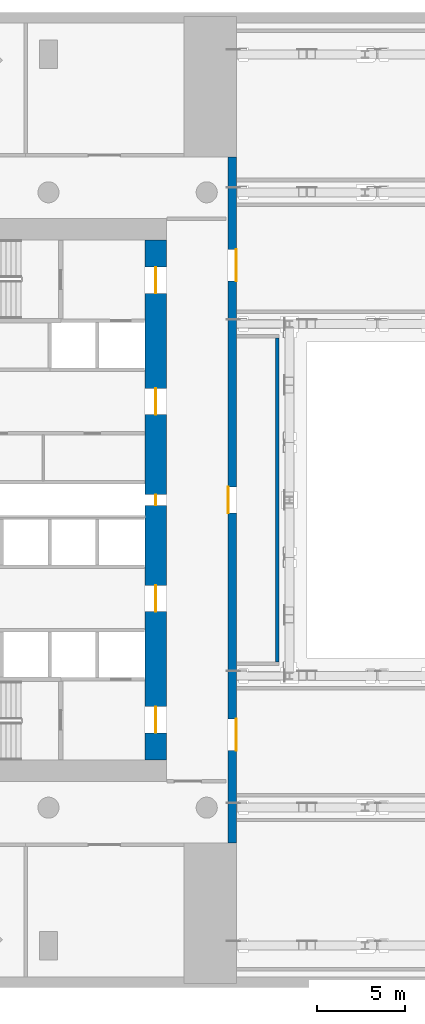
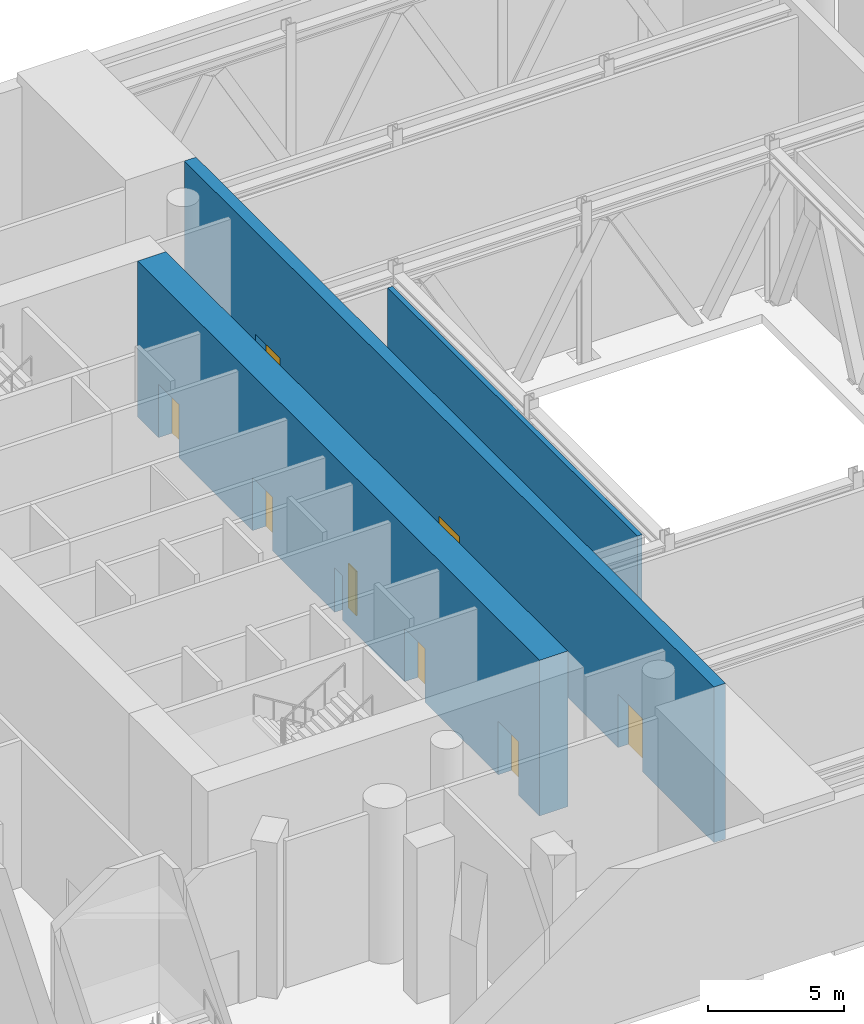
# One storey, part 5 of 21: 8 doors, 3 walls, 8 openings.
"""IFC4 building model written with IfcOpenShell, lengths in metres."""

from ifc_helpers import new_model, si_unit, direction, frame, frame_2d, origin, place, context, subcontext, project, spatial, rectangle, extrude, material, layer, layer_set, type_object, element, fill, save


model = new_model("IFC4")

# Units and contexts
model_context = context("Model", 3, precision=1e-05, world=origin(), true_north=direction((0.0, 1.0)))
body_context = subcontext(model_context, "Body", "Model", "MODEL_VIEW")
ifc_project = project(units=[si_unit("LENGTHUNIT", "METRE"), si_unit("AREAUNIT", "SQUARE_METRE"), si_unit("VOLUMEUNIT", "CUBIC_METRE"), si_unit("PLANEANGLEUNIT", "RADIAN"), si_unit("MASSUNIT", "GRAM", prefix="KILO")], contexts=[model_context])

# Site, building, storey
site_placement = place(None, origin())
site = spatial("IfcSite", under=ifc_project, at=site_placement, CompositionType="ELEMENT")
building_placement = place(site_placement, origin())
building = spatial("IfcBuilding", under=site, at=building_placement, Name="Cypress Arch Tower", CompositionType="ELEMENT")
storey_placement = place(building_placement, frame((0.0, 0.0, 29.0)))
storey = spatial("IfcBuildingStorey", under=building, at=storey_placement, Name="L03", CompositionType="ELEMENT", Elevation=29.0)

# Wall, openings, doors
ifc_material_1 = material(Name="Concrete C80/95", Category="concrete")
ifc_layer_1 = layer(ifc_material_1, 1.199951171875)
ifc_layer_set_1 = layer_set([ifc_layer_1], Name="Core wall CW1200 C80/95")
wall_type_1 = type_object("IfcWallType", Name="Core wall CW1200 C80/95", PredefinedType="SHEAR", material=ifc_layer_set_1)
wall_1_placement = place(storey_placement, frame((-14.60009765625, -14.800048828125, 0.0), z_axis=(0.0, 0.0, 1.0), x_axis=(0.0, 1.0, 0.0)))
wall_1 = element("IfcWall", 1, at=wall_1_placement, inside=storey, type_object=wall_type_1, Name="Core wall", PredefinedType="SHEAR", context=body_context, shape_type="SweptSolid", body=[
    extrude(rectangle(XDim=29.60009765625, YDim=1.199951171875, at=frame_2d((14.800048828125, 0.0))), origin(), (0.0, 0.0, 1.0), 7.0),
])
opening_1_placement = place(wall_1_placement, frame((1.550048828125, 0.0, 0.0)))
opening_1 = element("IfcOpeningElement", 2, at=opening_1_placement, cuts=wall_1, Name="Opening D07", PredefinedType="OPENING", context=body_context, shape_type="SweptSolid", body=[
    extrude(rectangle(XDim=1.5, YDim=2.39990234375, at=frame_2d((0.75, 1.199951171875))), frame((0.0, 0.60986328125, 0.0), z_axis=(0.0, -1.0, 0.0), x_axis=(1.0, 0.0, 0.0)), (0.0, 0.0, 1.0), 1.219970703125),
])
opening_2_placement = place(wall_1_placement, frame((26.550048828125, 0.0, 0.0)))
opening_2 = element("IfcOpeningElement", 3, at=opening_2_placement, cuts=wall_1, Name="Opening D07", PredefinedType="OPENING", context=body_context, shape_type="SweptSolid", body=[
    extrude(rectangle(XDim=1.5, YDim=2.39990234375, at=frame_2d((0.75, 1.199951171875))), frame((0.0, 0.60986328125, 0.0), z_axis=(0.0, -1.0, 0.0), x_axis=(1.0, 0.0, 0.0)), (0.0, 0.0, 1.0), 1.219970703125),
])
opening_3_placement = place(wall_1_placement, frame((8.449951171875, 0.0, 0.0)))
opening_3 = element("IfcOpeningElement", 4, at=opening_3_placement, cuts=wall_1, Name="Opening D07", PredefinedType="OPENING", context=body_context, shape_type="SweptSolid", body=[
    extrude(rectangle(XDim=1.5, YDim=2.39990234375, at=frame_2d((0.75, 1.199951171875))), frame((0.0, 0.60986328125, 0.0), z_axis=(0.0, -1.0, 0.0), x_axis=(1.0, 0.0, 0.0)), (0.0, 0.0, 1.0), 1.219970703125),
])
opening_4_placement = place(wall_1_placement, frame((19.64990234375, 0.0, 0.0)))
opening_4 = element("IfcOpeningElement", 5, at=opening_4_placement, cuts=wall_1, Name="Opening D07", PredefinedType="OPENING", context=body_context, shape_type="SweptSolid", body=[
    extrude(rectangle(XDim=1.5, YDim=2.39990234375, at=frame_2d((0.75, 1.199951171875))), frame((0.0, 0.60986328125, 0.0), z_axis=(0.0, -1.0, 0.0), x_axis=(1.0, 0.0, 0.0)), (0.0, 0.0, 1.0), 1.219970703125),
])
opening_5_placement = place(wall_1_placement, frame((14.5, 0.0, 0.0)))
opening_5 = element("IfcOpeningElement", 6, at=opening_5_placement, cuts=wall_1, Name="Opening D08", PredefinedType="OPENING", context=body_context, shape_type="SweptSolid", body=[
    extrude(rectangle(XDim=0.60009765625, YDim=2.0, at=frame_2d((0.300048828125, 1.0))), frame((0.0, 0.60986328125, 0.0), z_axis=(0.0, -1.0, 0.0), x_axis=(1.0, 0.0, 0.0)), (0.0, 0.0, 1.0), 1.219970703125),
])
ifc_material_2 = material(Name="Steel framed glazed door, fire resisting", Category="steel")
door_type_1 = type_object("IfcDoorType", Name="Lobby door D07 1500x2400", OperationType="DOUBLE_DOOR_SINGLE_SWING", PredefinedType="DOOR", material=ifc_material_2)
door_1_placement = place(opening_1_placement, origin())
door_1 = element("IfcDoor", 7, at=door_1_placement, inside=storey, type_object=door_type_1, Name="Lobby door", OperationType="DOUBLE_DOOR_SINGLE_SWING", OverallHeight=2.39990234375, OverallWidth=1.5, PredefinedType="DOOR", context=body_context, shape_type="SweptSolid", body=[
    extrude(rectangle(XDim=1.5, YDim=2.39990234375, at=frame_2d((0.75, 1.199951171875))), frame((0.0, 0.02490234375, 0.0), z_axis=(0.0, -1.0, 0.0), x_axis=(1.0, 0.0, 0.0)), (0.0, 0.0, 1.0), 0.050048828125),
])
fill(opening_1, door_1)
door_2_placement = place(opening_2_placement, origin())
door_2 = element("IfcDoor", 8, at=door_2_placement, inside=storey, type_object=door_type_1, Name="Lobby door", OperationType="DOUBLE_DOOR_SINGLE_SWING", OverallHeight=2.39990234375, OverallWidth=1.5, PredefinedType="DOOR", context=body_context, shape_type="SweptSolid", body=[
    extrude(rectangle(XDim=1.5, YDim=2.39990234375, at=frame_2d((0.75, 1.199951171875))), frame((0.0, 0.02490234375, 0.0), z_axis=(0.0, -1.0, 0.0), x_axis=(1.0, 0.0, 0.0)), (0.0, 0.0, 1.0), 0.050048828125),
])
fill(opening_2, door_2)
door_3_placement = place(opening_3_placement, origin())
door_3 = element("IfcDoor", 9, at=door_3_placement, inside=storey, type_object=door_type_1, Name="Lobby door", OperationType="DOUBLE_DOOR_SINGLE_SWING", OverallHeight=2.39990234375, OverallWidth=1.5, PredefinedType="DOOR", context=body_context, shape_type="SweptSolid", body=[
    extrude(rectangle(XDim=1.5, YDim=2.39990234375, at=frame_2d((0.75, 1.199951171875))), frame((0.0, 0.02490234375, 0.0), z_axis=(0.0, -1.0, 0.0), x_axis=(1.0, 0.0, 0.0)), (0.0, 0.0, 1.0), 0.050048828125),
])
fill(opening_3, door_3)
door_4_placement = place(opening_4_placement, origin())
door_4 = element("IfcDoor", 10, at=door_4_placement, inside=storey, type_object=door_type_1, Name="Lobby door", OperationType="DOUBLE_DOOR_SINGLE_SWING", OverallHeight=2.39990234375, OverallWidth=1.5, PredefinedType="DOOR", context=body_context, shape_type="SweptSolid", body=[
    extrude(rectangle(XDim=1.5, YDim=2.39990234375, at=frame_2d((0.75, 1.199951171875))), frame((0.0, 0.02490234375, 0.0), z_axis=(0.0, -1.0, 0.0), x_axis=(1.0, 0.0, 0.0)), (0.0, 0.0, 1.0), 0.050048828125),
])
fill(opening_4, door_4)
ifc_material_3 = material(Name="Steel access door, fire resisting", Category="steel")
door_type_2 = type_object("IfcDoorType", Name="Riser access door D08 600x2000", OperationType="SINGLE_SWING_LEFT", PredefinedType="DOOR", material=ifc_material_3)
door_5_placement = place(opening_5_placement, origin())
door_5 = element("IfcDoor", 11, at=door_5_placement, inside=storey, type_object=door_type_2, Name="Riser access door", OperationType="SINGLE_SWING_RIGHT", OverallHeight=2.0, OverallWidth=0.60009765625, PredefinedType="DOOR", context=body_context, shape_type="SweptSolid", body=[
    extrude(rectangle(XDim=0.60009765625, YDim=2.0, at=frame_2d((0.300048828125, 1.0))), frame((0.0, 0.02490234375, 0.0), z_axis=(0.0, -1.0, 0.0), x_axis=(1.0, 0.0, 0.0)), (0.0, 0.0, 1.0), 0.050048828125),
])
fill(opening_5, door_5)

# Wall
ifc_material_4 = material(Name="Concrete blockwork, plastered, rated", Category="masonry")
ifc_layer_2 = layer(ifc_material_4, 0.199951171875)
ifc_layer_set_2 = layer_set([ifc_layer_2], Name="Corridor wall FW200")
wall_type_2 = type_object("IfcWallType", Name="Corridor wall FW200", PredefinedType="PARTITIONING", material=ifc_layer_set_2)
wall_2_placement = place(storey_placement, frame((-7.699951171875, -9.199951171875, 0.0), z_axis=(0.0, 0.0, 1.0), x_axis=(0.0, 1.0, 0.0)))
element("IfcWall", 12, at=wall_2_placement, inside=storey, type_object=wall_type_2, Name="Corridor wall", PredefinedType="PARTITIONING", context=body_context, shape_type="SweptSolid", body=[
    extrude(rectangle(XDim=18.39990234375, YDim=0.199951171875, at=frame_2d((9.199951171875, 0.0))), origin(), (0.0, 0.0, 1.0), 6.597900390625),
])

# Wall, openings, doors
ifc_material_5 = material(Name="Concrete C60/75", Category="concrete")
ifc_layer_3 = layer(ifc_material_5, 0.5)
ifc_layer_set_3 = layer_set([ifc_layer_3], Name="Passage wall 500 Concrete C60/75")
wall_type_3 = type_object("IfcWallType", Name="Passage wall 500 Concrete C60/75", PredefinedType="SOLIDWALL", material=ifc_layer_set_3)
wall_3_placement = place(storey_placement, frame((-10.25, -19.5, 0.0), z_axis=(0.0, 0.0, 1.0), x_axis=(0.0, 1.0, 0.0)))
wall_3 = element("IfcWall", 13, at=wall_3_placement, inside=storey, type_object=wall_type_3, Name="Gate passage wall W L03", PredefinedType="SOLIDWALL", context=body_context, shape_type="SweptSolid", body=[
    extrude(rectangle(XDim=39.0, YDim=0.5, at=frame_2d((19.5, 0.0))), origin(), (0.0, 0.0, 1.0), 7.0),
])
opening_6_placement = place(wall_3_placement, frame((18.75, 0.0, 0.0)))
opening_6 = element("IfcOpeningElement", 14, at=opening_6_placement, cuts=wall_3, Name="Opening D07", PredefinedType="OPENING", context=body_context, shape_type="SweptSolid", body=[
    extrude(rectangle(XDim=1.5, YDim=2.39990234375, at=frame_2d((0.75, 1.199951171875))), frame((0.0, 0.260009765625, 0.0), z_axis=(0.0, -1.0, 0.0), x_axis=(1.0, 0.0, 0.0)), (0.0, 0.0, 1.0), 0.52001953125),
])
opening_7_placement = place(wall_3_placement, frame((31.949951171875, 0.0, 0.0)))
opening_7 = element("IfcOpeningElement", 15, at=opening_7_placement, cuts=wall_3, Name="Opening D09", PredefinedType="OPENING", context=body_context, shape_type="SweptSolid", body=[
    extrude(rectangle(XDim=1.800048828125, YDim=2.39990234375, at=frame_2d((0.89990234375, 1.199951171875))), frame((0.0, 0.260009765625, 0.0), z_axis=(0.0, -1.0, 0.0), x_axis=(1.0, 0.0, 0.0)), (0.0, 0.0, 1.0), 0.52001953125),
])
opening_8_placement = place(wall_3_placement, frame((5.25, 0.0, 0.0)))
opening_8 = element("IfcOpeningElement", 16, at=opening_8_placement, cuts=wall_3, Name="Opening D09", PredefinedType="OPENING", context=body_context, shape_type="SweptSolid", body=[
    extrude(rectangle(XDim=1.800048828125, YDim=2.39990234375, at=frame_2d((0.89990234375, 1.199951171875))), frame((0.0, 0.260009765625, 0.0), z_axis=(0.0, -1.0, 0.0), x_axis=(1.0, 0.0, 0.0)), (0.0, 0.0, 1.0), 0.52001953125),
])
door_6_placement = place(opening_6_placement, origin())
door_6 = element("IfcDoor", 17, at=door_6_placement, inside=storey, type_object=door_type_1, Name="Lobby door", OperationType="DOUBLE_DOOR_SINGLE_SWING", OverallHeight=2.39990234375, OverallWidth=1.5, PredefinedType="DOOR", context=body_context, shape_type="SweptSolid", body=[
    extrude(rectangle(XDim=1.5, YDim=2.39990234375, at=frame_2d((0.75, 1.199951171875))), frame((0.0, 0.2451171875, 0.0), z_axis=(0.0, -1.0, 0.0), x_axis=(1.0, 0.0, 0.0)), (0.0, 0.0, 1.0), 0.050048828125),
])
fill(opening_6, door_6)
ifc_material_6 = material(Name="Steel door, fire resisting", Category="steel")
door_type_3 = type_object("IfcDoorType", Name="Plant room door D09 1800x2400", OperationType="DOUBLE_DOOR_SINGLE_SWING", PredefinedType="DOOR", material=ifc_material_6)
door_7_placement = place(opening_7_placement, origin())
door_7 = element("IfcDoor", 18, at=door_7_placement, inside=storey, type_object=door_type_3, Name="Plant room door", OperationType="DOUBLE_DOOR_SINGLE_SWING", OverallHeight=2.39990234375, OverallWidth=1.800048828125, PredefinedType="DOOR", context=body_context, shape_type="SweptSolid", body=[
    extrude(rectangle(XDim=1.800048828125, YDim=2.39990234375, at=frame_2d((0.89990234375, 1.199951171875))), frame((0.0, -0.19482421875, 0.0), z_axis=(0.0, -1.0, 0.0), x_axis=(1.0, 0.0, 0.0)), (0.0, 0.0, 1.0), 0.050048828125),
])
fill(opening_7, door_7)
door_8_placement = place(opening_8_placement, origin())
door_8 = element("IfcDoor", 19, at=door_8_placement, inside=storey, type_object=door_type_3, Name="Plant room door", OperationType="DOUBLE_DOOR_SINGLE_SWING", OverallHeight=2.39990234375, OverallWidth=1.800048828125, PredefinedType="DOOR", context=body_context, shape_type="SweptSolid", body=[
    extrude(rectangle(XDim=1.800048828125, YDim=2.39990234375, at=frame_2d((0.89990234375, 1.199951171875))), frame((0.0, -0.19482421875, 0.0), z_axis=(0.0, -1.0, 0.0), x_axis=(1.0, 0.0, 0.0)), (0.0, 0.0, 1.0), 0.050048828125),
])
fill(opening_8, door_8)

save(model, "model.ifc")
